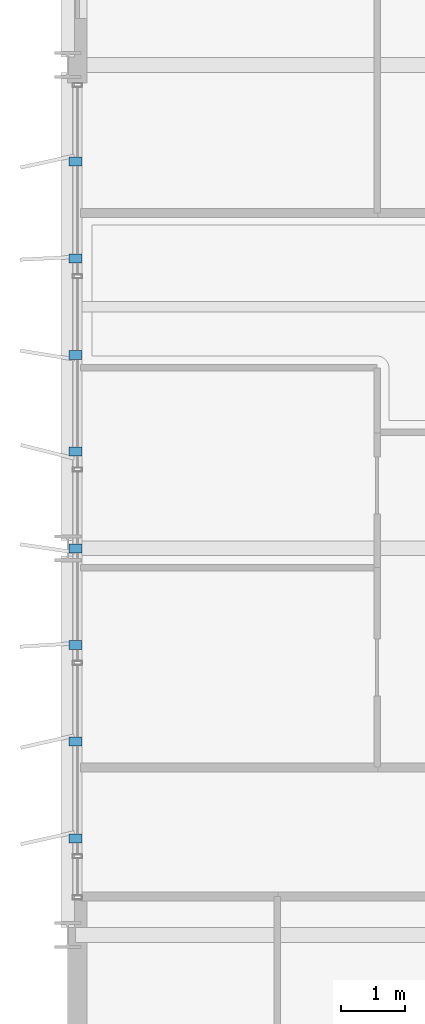
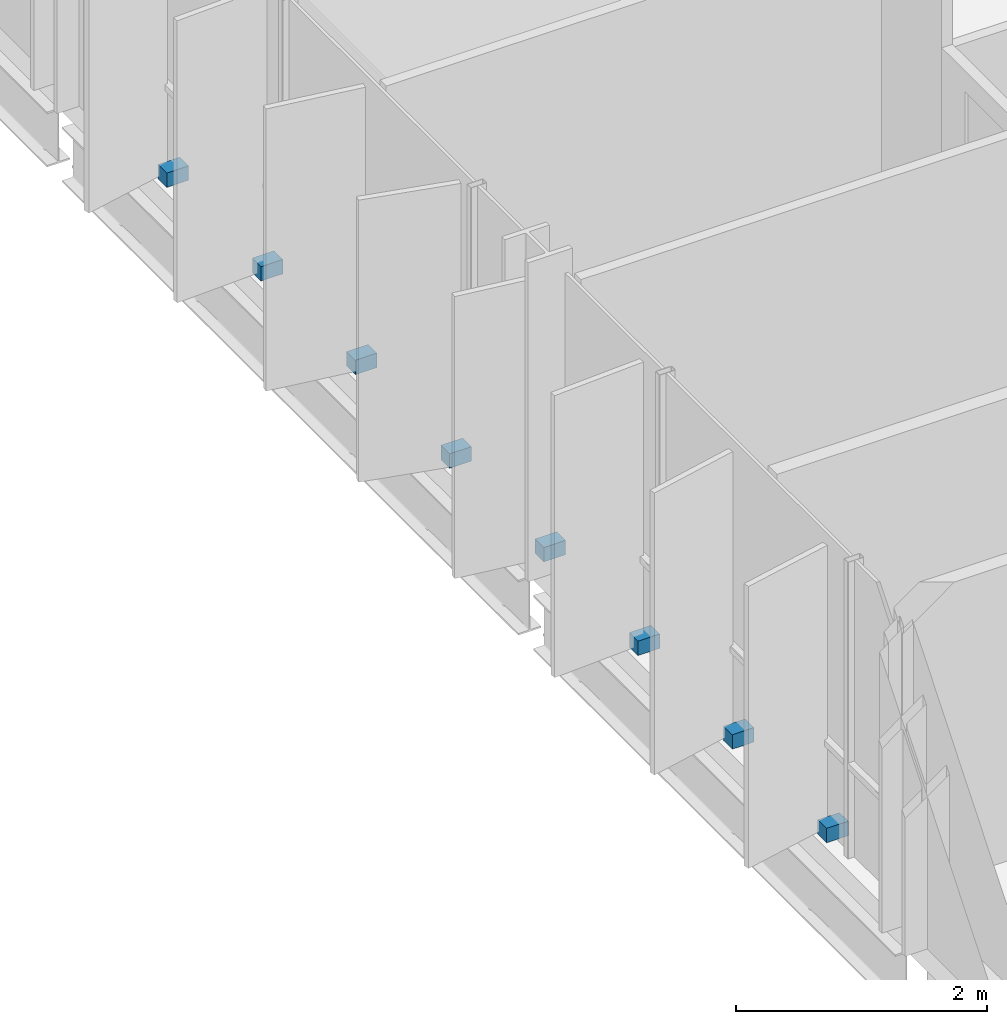
# One storey, part 35 of 40: 8 discrete accessories.
"""IFC4 building model written with IfcOpenShell, lengths in metres."""

from ifc_helpers import new_model, si_unit, direction, frame, origin, origin_2d, place, context, subcontext, project, spatial, rectangle, extrude, material, type_object, element, save


model = new_model("IFC4")

# Units and contexts
model_context = context("Model", 3, precision=1e-05, world=origin(), true_north=direction((0.0, 1.0)))
body_context = subcontext(model_context, "Body", "Model", "MODEL_VIEW")
ifc_project = project(units=[si_unit("LENGTHUNIT", "METRE"), si_unit("AREAUNIT", "SQUARE_METRE"), si_unit("VOLUMEUNIT", "CUBIC_METRE"), si_unit("PLANEANGLEUNIT", "RADIAN"), si_unit("MASSUNIT", "GRAM", prefix="KILO")], contexts=[model_context])

# Site, building, storey
site_placement = place(None, origin())
site = spatial("IfcSite", under=ifc_project, at=site_placement, CompositionType="ELEMENT")
building_placement = place(site_placement, origin())
building = spatial("IfcBuilding", under=site, at=building_placement, Name="Brevholm Reach", CompositionType="ELEMENT")
storey_placement = place(building_placement, frame((0.0, 0.0, 160.39990234375)))
storey = spatial("IfcBuildingStorey", under=building, at=storey_placement, Name="L48", CompositionType="ELEMENT", Elevation=160.39990234375)

# Discrete accessories
ifc_material = material(Name="Duplex Stainless Steel EN 1.4462", Category="steel")
discrete_accessory_type = type_object("IfcDiscreteAccessoryType", Name="ACC-BRK-01", PredefinedType="BRACKET", material=ifc_material)
for number, where, z_axis, x_axis, name in (
    (1, (0.1201171875, 11.5, 0.0302734375), (0.0, 0.0, 1.0), (-1.0, 0.0, 0.0), "L48 Solar Screen Support Bracket 1"),
    (2, (0.1201171875, 13.0, 0.0302734375), (0.0, 0.0, 1.0), (-1.0, 0.0, 0.0), "L48 Solar Screen Support Bracket 2"),
    (3, (0.1201171875, 14.5, 0.0302734375), (0.0, 0.0, 1.0), (-1.0, 0.0, 0.0), "L48 Solar Screen Support Bracket 3"),
    (4, (0.1201171875, 16.0, 0.0302734375), (0.0, 0.0, 1.0), (-1.0, 0.0, 0.0), "L48 Solar Screen Support Bracket 4"),
    (5, (0.1201171875, 17.5, 0.0302734375), (0.0, 0.0, 1.0), (-1.0, 0.0, 0.0), "L48 Solar Screen Support Bracket 5"),
    (6, (0.1201171875, 19.0, 0.0302734375), (0.0, 0.0, 1.0), (-1.0, 0.0, 0.0), "L48 Solar Screen Support Bracket 6"),
    (7, (0.1201171875, 20.5, 0.0302734375), (0.0, 0.0, 1.0), (-1.0, 0.0, 0.0), "L48 Solar Screen Support Bracket 7"),
    (8, (0.1201171875, 22.0, 0.0302734375), (0.0, 0.0, 1.0), (-1.0, 0.0, 0.0), "L48 Solar Screen Support Bracket 8"),
):
    element("IfcDiscreteAccessory", number, at=place(storey_placement, frame(where, z_axis=z_axis, x_axis=x_axis)), inside=storey, type_object=discrete_accessory_type, Name=name, PredefinedType="BRACKET", context=body_context, shape_type="SweptSolid", body=[
        extrude(rectangle(XDim=0.199951171875, YDim=0.139892578125, at=origin_2d()), origin(), (0.0, 0.0, 1.0), 0.139892578125),
    ])

save(model, "model.ifc")
